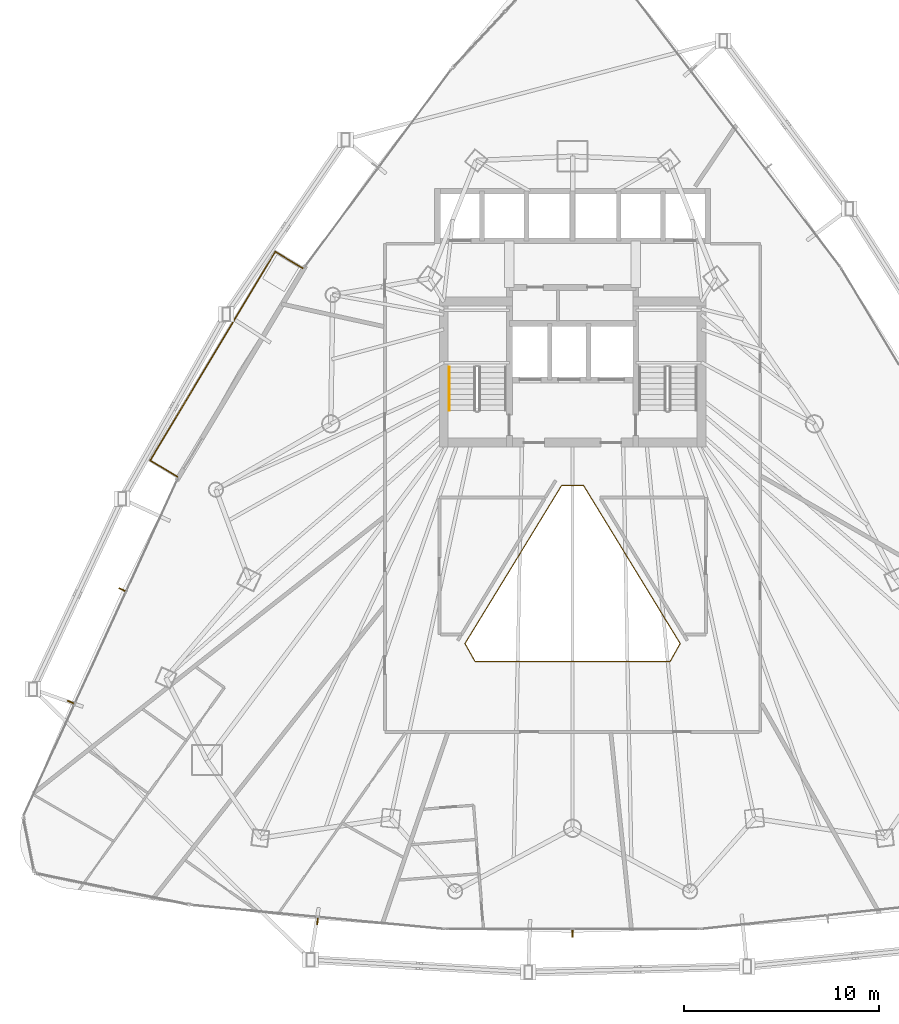
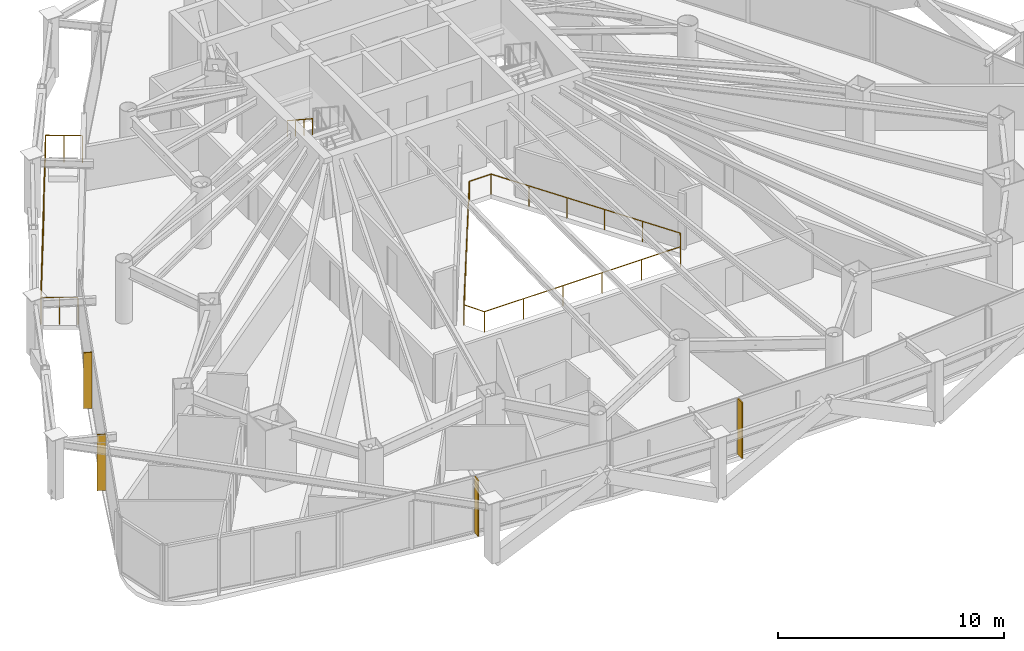
# One storey, part 35 of 38: 4 shading devices, 3 railings.
"""IFC4 building model written with IfcOpenShell, lengths in metres."""

from ifc_helpers import new_model, si_unit, direction, frame, origin, origin_2d, place, context, subcontext, project, spatial, rectangle, circle, extrude, material, layer, layer_set, type_object, element, save


model = new_model("IFC4")

# Units and contexts
model_context = context("Model", 3, precision=1e-05, world=origin(), true_north=direction((0.0, 1.0)))
body_context = subcontext(model_context, "Body", "Model", "MODEL_VIEW")
ifc_project = project(units=[si_unit("LENGTHUNIT", "METRE"), si_unit("AREAUNIT", "SQUARE_METRE"), si_unit("VOLUMEUNIT", "CUBIC_METRE"), si_unit("PLANEANGLEUNIT", "RADIAN"), si_unit("MASSUNIT", "GRAM", prefix="KILO")], contexts=[model_context])

# Site, building, storey
site_placement = place(None, origin())
site = spatial("IfcSite", under=ifc_project, at=site_placement, CompositionType="ELEMENT")
building_placement = place(site_placement, origin())
building = spatial("IfcBuilding", under=site, at=building_placement, Name="Orvanel Arch Residences", CompositionType="ELEMENT")
storey_placement = place(building_placement, frame((0.0, 0.0, 56.60009765625)))
storey = spatial("IfcBuildingStorey", under=building, at=storey_placement, Name="L15", CompositionType="ELEMENT", Elevation=56.60009765625)

# Shading devices
ifc_material_1 = material(Name="Bronze-anodised aluminium AA6063-T6", Category="aluminium")
ifc_layer = layer(ifc_material_1, 0.06005859375)
ifc_layer_set = layer_set([ifc_layer], Name="Bronze-anodised aluminium AA6063-T6")
shading_device_type = type_object("IfcShadingDeviceType", Name="FIN-BRZ-380", PredefinedType="USERDEFINED", material=ifc_layer_set)
for number, where, z_axis, x_axis, name in (
    (1, (9.85009765625, 19.111083984375, 0.0), (0.0, 0.0, 1.0), (-0.909236109047, 0.41628079226, 0.0), "L15 Anodised Bronze Mullion FIN 01"),
    (2, (7.2041015625, 13.3291015625, 0.0), (0.0, 0.0, 1.0), (-0.909236109047, 0.41628079226, 0.0), "L15 Anodised Bronze Mullion FIN 02"),
    (3, (19.888916015625, 2.06494140625, 0.0), (0.0, 0.0, 1.0), (-0.094108313319, -0.995561964603, 0.0), "L15 Anodised Bronze Mullion FIN 01"),
    (4, (33.0, 1.443115234375, 0.0), (0.0, 0.0, 1.0), (0.0, -1.0, 0.0), "L15 Anodised Bronze Mullion FIN 01"),
):
    element("IfcShadingDevice", number, at=place(storey_placement, frame(where, z_axis=z_axis, x_axis=x_axis)), inside=storey, type_object=shading_device_type, Name=name, ObjectType="FIN", PredefinedType="USERDEFINED", context=body_context, shape_type="SweptSolid", body=[
        extrude(rectangle(XDim=0.3798828125, YDim=0.06005859375, at=origin_2d()), origin(), (0.0, 0.0, 1.0), 3.02001953125),
    ])

# Railings
railing_type_1 = type_object("IfcRailingType", Name="RL-ATR-1120", PredefinedType="BALUSTRADE", material=ifc_material_1)
railing_1_placement = place(storey_placement, frame((33.56005859375, 24.470947265625, 0.0)))
element("IfcRailing", 5, at=railing_1_placement, inside=storey, type_object=railing_type_1, Name="L15 Atrium Void Protective Balustrade", PredefinedType="BALUSTRADE", context=body_context, shape_type="SweptSolid", body=[
    extrude(circle(Radius=0.02392578125, at=origin_2d()), frame((-0.00146484375, 0.0, 1.09619140625), z_axis=(-1.0, 0.0, 0.0), x_axis=(0.0, -1.0, 0.0)), (0.0, 0.0, 1.0), 1.1171875),
    extrude(circle(Radius=0.02392578125, at=origin_2d()), frame((-1.120849609375, -0.001220703125, 1.09619140625), z_axis=(-0.521597201644, -0.853191865431, 0.0), x_axis=(0.853191865431, -0.521597201644, 0.0)), (0.0, 0.0, 1.0), 9.5234375),
    extrude(circle(Radius=0.02392578125, at=origin_2d()), frame((-6.08837890625, -8.129150390625, 1.09619140625), z_axis=(0.489070015854, -0.8722445297, 0.0), x_axis=(0.8722445297, 0.489070015854, 0.0)), (0.0, 0.0, 1.0), 1.04833984375),
    extrude(circle(Radius=0.02392578125, at=origin_2d()), frame((-5.573486328125, -9.044921875, 1.09619140625), z_axis=(1.0, 0.0, 0.0), x_axis=(0.0, 1.0, 0.0)), (0.0, 0.0, 1.0), 10.02685546875),
    extrude(circle(Radius=0.02392578125, at=origin_2d()), frame((4.45556640625, -9.043701171875, 1.09619140625), z_axis=(0.489070015854, 0.8722445297, 0.0), x_axis=(-0.8722445297, 0.489070015854, 0.0)), (0.0, 0.0, 1.0), 1.04833984375),
    extrude(circle(Radius=0.02392578125, at=origin_2d()), frame((4.96826171875, -8.126708984375, 1.09619140625), z_axis=(-0.521597201644, 0.853191865431, 0.0), x_axis=(-0.853191865431, -0.521597201644, 0.0)), (0.0, 0.0, 1.0), 9.5234375),
    extrude(circle(Radius=0.02099609375, at=origin_2d()), origin(), (0.0, 0.0, 1.0), 1.070068359375),
    extrude(circle(Radius=0.02099609375, at=origin_2d()), frame((-1.1201171875, 0.0, 0.0)), (0.0, 0.0, 1.0), 1.070068359375),
    extrude(circle(Radius=0.02099609375, at=origin_2d()), frame((-2.114013671875, -1.62548828125, 0.0)), (0.0, 0.0, 1.0), 1.070068359375),
    extrude(circle(Radius=0.02099609375, at=origin_2d()), frame((-3.107666015625, -3.251220703125, 0.0)), (0.0, 0.0, 1.0), 1.070068359375),
    extrude(circle(Radius=0.02099609375, at=origin_2d()), frame((-4.1015625, -4.876708984375, 0.0)), (0.0, 0.0, 1.0), 1.070068359375),
    extrude(circle(Radius=0.02099609375, at=origin_2d()), frame((-5.09521484375, -6.50244140625, 0.0)), (0.0, 0.0, 1.0), 1.070068359375),
    extrude(circle(Radius=0.02099609375, at=origin_2d()), frame((-6.089111328125, -8.1279296875, 0.0)), (0.0, 0.0, 1.0), 1.070068359375),
    extrude(circle(Radius=0.02099609375, at=origin_2d()), frame((-5.574951171875, -9.044921875, 0.0)), (0.0, 0.0, 1.0), 1.070068359375),
    extrude(circle(Radius=0.02099609375, at=origin_2d()), frame((-3.569091796875, -9.044921875, 0.0)), (0.0, 0.0, 1.0), 1.070068359375),
    extrude(circle(Radius=0.02099609375, at=origin_2d()), frame((-1.56298828125, -9.044921875, 0.0)), (0.0, 0.0, 1.0), 1.070068359375),
    extrude(circle(Radius=0.02099609375, at=origin_2d()), frame((0.44287109375, -9.044921875, 0.0)), (0.0, 0.0, 1.0), 1.070068359375),
    extrude(circle(Radius=0.02099609375, at=origin_2d()), frame((2.448974609375, -9.044921875, 0.0)), (0.0, 0.0, 1.0), 1.070068359375),
    extrude(circle(Radius=0.02099609375, at=origin_2d()), frame((4.454833984375, -9.044921875, 0.0)), (0.0, 0.0, 1.0), 1.070068359375),
    extrude(circle(Radius=0.02099609375, at=origin_2d()), frame((4.968994140625, -8.1279296875, 0.0)), (0.0, 0.0, 1.0), 1.070068359375),
    extrude(circle(Radius=0.02099609375, at=origin_2d()), frame((3.97509765625, -6.50244140625, 0.0)), (0.0, 0.0, 1.0), 1.070068359375),
    extrude(circle(Radius=0.02099609375, at=origin_2d()), frame((2.9814453125, -4.876708984375, 0.0)), (0.0, 0.0, 1.0), 1.070068359375),
    extrude(circle(Radius=0.02099609375, at=origin_2d()), frame((1.987548828125, -3.251220703125, 0.0)), (0.0, 0.0, 1.0), 1.070068359375),
    extrude(circle(Radius=0.02099609375, at=origin_2d()), frame((0.993896484375, -1.62548828125, 0.0)), (0.0, 0.0, 1.0), 1.070068359375),
])
railing_type_2 = type_object("IfcRailingType", Name="RL-BAL-1480", PredefinedType="BALUSTRADE", material=ifc_material_1)
railing_2_placement = place(storey_placement, frame((19.1220703125, 35.64306640625, 0.0)))
element("IfcRailing", 6, at=railing_2_placement, inside=storey, type_object=railing_type_2, Name="L15 Balcony Perimeter Guardrail Face 1", PredefinedType="BALUSTRADE", context=body_context, shape_type="SweptSolid", body=[
    extrude(circle(Radius=0.02392578125, at=origin_2d()), frame((-0.001220703125, 0.000732421875, 1.4560546875), z_axis=(-0.857387817543, 0.514670895164, 0.0), x_axis=(-0.514670895164, -0.857387817543, 0.0)), (0.0, 0.0, 1.0), 1.636962890625),
    extrude(circle(Radius=0.02392578125, at=origin_2d()), frame((-1.40673828125, 0.8427734375, 1.4560546875), z_axis=(-0.514357938037, -0.857575601086, 0.0), x_axis=(0.857575601086, -0.514357938037, 0.0)), (0.0, 0.0, 1.0), 12.502197265625),
    extrude(circle(Radius=0.02392578125, at=origin_2d()), frame((-7.8369140625, -9.880859375, 1.4560546875), z_axis=(0.857545439568, -0.514408222208, 0.0), x_axis=(0.514408222208, 0.857545439568, 0.0)), (0.0, 0.0, 1.0), 1.6376953125),
    extrude(circle(Radius=0.02099609375, at=origin_2d()), origin(), (0.0, 0.0, 1.0), 1.429931640625),
    extrude(circle(Radius=0.02099609375, at=origin_2d()), frame((-0.703125, 0.421875, 0.0)), (0.0, 0.0, 1.0), 1.429931640625),
    extrude(circle(Radius=0.02099609375, at=origin_2d()), frame((-1.406005859375, 0.843994140625, 0.0)), (0.0, 0.0, 1.0), 1.429931640625),
    extrude(circle(Radius=0.02099609375, at=origin_2d()), frame((-1.99072265625, -0.130859375, 0.0)), (0.0, 0.0, 1.0), 1.429931640625),
    extrude(circle(Radius=0.02099609375, at=origin_2d()), frame((-2.575439453125, -1.10595703125, 0.0)), (0.0, 0.0, 1.0), 1.429931640625),
    extrude(circle(Radius=0.02099609375, at=origin_2d()), frame((-3.16015625, -2.080810546875, 0.0)), (0.0, 0.0, 1.0), 1.429931640625),
    extrude(circle(Radius=0.02099609375, at=origin_2d()), frame((-3.744873046875, -3.0556640625, 0.0)), (0.0, 0.0, 1.0), 1.429931640625),
    extrude(circle(Radius=0.02099609375, at=origin_2d()), frame((-4.32958984375, -4.030517578125, 0.0)), (0.0, 0.0, 1.0), 1.429931640625),
    extrude(circle(Radius=0.02099609375, at=origin_2d()), frame((-4.91455078125, -5.005615234375, 0.0)), (0.0, 0.0, 1.0), 1.429931640625),
    extrude(circle(Radius=0.02099609375, at=origin_2d()), frame((-5.499267578125, -5.98046875, 0.0)), (0.0, 0.0, 1.0), 1.429931640625),
    extrude(circle(Radius=0.02099609375, at=origin_2d()), frame((-6.083984375, -6.955322265625, 0.0)), (0.0, 0.0, 1.0), 1.429931640625),
    extrude(circle(Radius=0.02099609375, at=origin_2d()), frame((-6.668701171875, -7.93017578125, 0.0)), (0.0, 0.0, 1.0), 1.429931640625),
    extrude(circle(Radius=0.02099609375, at=origin_2d()), frame((-7.25341796875, -8.9052734375, 0.0)), (0.0, 0.0, 1.0), 1.429931640625),
    extrude(circle(Radius=0.02099609375, at=origin_2d()), frame((-7.838134765625, -9.880126953125, 0.0)), (0.0, 0.0, 1.0), 1.429931640625),
    extrude(circle(Radius=0.02099609375, at=origin_2d()), frame((-7.134765625, -10.30224609375, 0.0)), (0.0, 0.0, 1.0), 1.429931640625),
    extrude(circle(Radius=0.02099609375, at=origin_2d()), frame((-6.43115234375, -10.72412109375, 0.0)), (0.0, 0.0, 1.0), 1.429931640625),
])
ifc_material_2 = material(Name="Structural steel AS/NZS 1163 C350L0 (Grade 350)", Category="steel")
railing_type_3 = type_object("IfcRailingType", Name="RL-STAIR-HAND", PredefinedType="HANDRAIL", material=ifc_material_2)
railing_3_placement = place(storey_placement, frame((26.64990234375, 30.56005859375, 1.833251953125)))
element("IfcRailing", 7, at=railing_3_placement, inside=storey, type_object=railing_type_3, Name="L15 ST-1 stair handrail 2", PredefinedType="HANDRAIL", context=body_context, shape_type="SweptSolid", body=[
    extrude(circle(Radius=0.02392578125, at=origin_2d()), frame((0.0, -0.001220703125, 0.876708984375), z_axis=(0.0, -0.836636935527, 0.547757827979), x_axis=(1.0, 0.0, 0.0)), (0.0, 0.0, 1.0), 2.67431640625),
    extrude(circle(Radius=0.02099609375, at=origin_2d()), origin(), (0.0, 0.0, 1.0), 0.849853515625),
    extrude(circle(Radius=0.02099609375, at=origin_2d()), frame((0.0, -0.74658203125, 0.48876953125)), (0.0, 0.0, 1.0), 0.849853515625),
    extrude(circle(Radius=0.02099609375, at=origin_2d()), frame((0.0, -1.493408203125, 0.977783203125)), (0.0, 0.0, 1.0), 0.849853515625),
    extrude(circle(Radius=0.02099609375, at=origin_2d()), frame((0.0, -2.239990234375, 1.466552734375)), (0.0, 0.0, 1.0), 0.849853515625),
])

save(model, "model.ifc")
